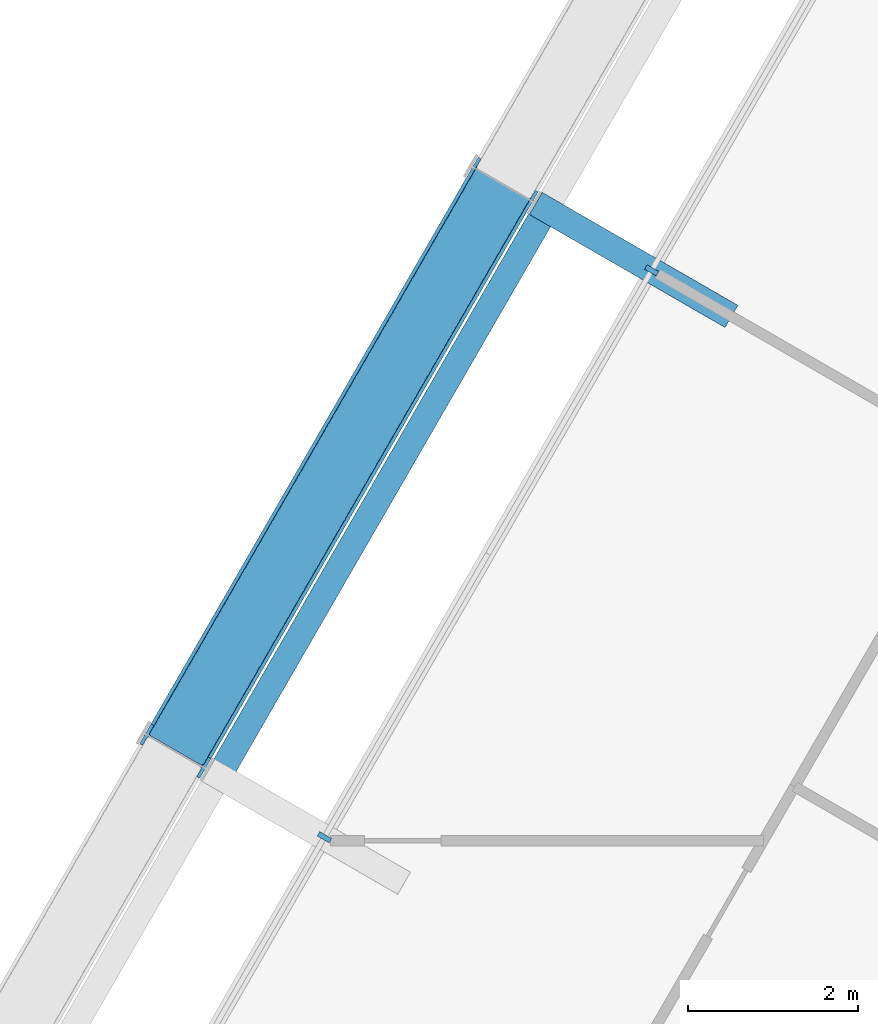
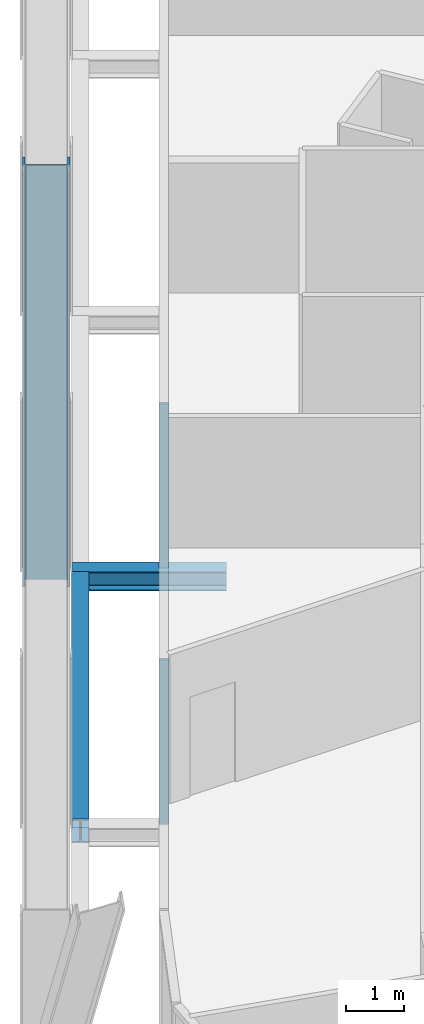
# One storey, part 5 of 21: 3 members, 2 beams, 1 element without a shape of its own.
"""IFC4 building model written with IfcOpenShell, lengths in metres."""

from ifc_helpers import new_model, si_unit, direction, frame, origin, origin_2d, place, context, subcontext, project, spatial, rectangle, i_section, extrude, material, layer, layer_set, material_profile, profile_set, type_object, element, aggregate, save


model = new_model("IFC4")

# Units and contexts
model_context = context("Model", 3, precision=1e-05, world=origin(), true_north=direction((0.0, 1.0)))
body_context = subcontext(model_context, "Body", "Model", "MODEL_VIEW")
ifc_project = project(units=[si_unit("LENGTHUNIT", "METRE"), si_unit("AREAUNIT", "SQUARE_METRE"), si_unit("VOLUMEUNIT", "CUBIC_METRE"), si_unit("PLANEANGLEUNIT", "RADIAN"), si_unit("MASSUNIT", "GRAM", prefix="KILO")], contexts=[model_context])

# Site, building, storey
site_placement = place(None, origin())
site = spatial("IfcSite", under=ifc_project, at=site_placement, CompositionType="ELEMENT")
building_placement = place(site_placement, origin())
building = spatial("IfcBuilding", under=site, at=building_placement, Name="Spindle Arch Residences", CompositionType="ELEMENT")
storey_placement = place(building_placement, frame((0.0, 0.0, 38.39990234375)))
storey = spatial("IfcBuildingStorey", under=building, at=storey_placement, Name="L07", CompositionType="ELEMENT", Elevation=38.39990234375)

# Curtain wall, members
ifc_material_1 = material(Name="Aluminium bronze unitised frame with tinted glass", Category="aluminium")
ifc_layer = layer(ifc_material_1, 0.159912109375)
ifc_layer_set = layer_set([ifc_layer], Name="CW-C typical residential unitised wall")
curtain_wall_type = type_object("IfcCurtainWallType", Name="CW-C typical residential unitised wall", PredefinedType="NOTDEFINED", material=ifc_layer_set)
curtain_wall_placement = place(storey_placement, origin())
curtain_wall = element("IfcCurtainWall", 1, at=curtain_wall_placement, inside=storey, type_object=curtain_wall_type, Name="CW-C L07 run 4", PredefinedType="NOTDEFINED")
ifc_material_2 = material(Name="Aluminium bronze anodised mullion", Category="aluminium")
ifc_material_profile_1 = material_profile(ifc_material_2, rectangle(XDim=0.159912109375, YDim=0.06005859375, at=origin_2d()), Name="MU 60x160")
ifc_profile_set_1 = profile_set([ifc_material_profile_1], Name="Aluminium bronze anodised mullion")
member_type_1 = type_object("IfcMemberType", Name="Bronze mullion 60x160", PredefinedType="MULLION", material=ifc_profile_set_1)
member_1_placement = place(storey_placement, frame((-18.9892578125, 6.529296875, -0.449951171875), z_axis=(0.0, 0.0, 1.0), x_axis=(0.866025403784, -0.5, 0.0)))
member_1 = element("IfcMember", 2, at=member_1_placement, type_object=member_type_1, Name="CW-C mullion 16", PredefinedType="MULLION", context=body_context, shape_type="SweptSolid", body=[
    extrude(rectangle(XDim=0.159912109375, YDim=0.06005859375, at=origin_2d()), origin(), (0.0, 0.0, 1.0), 3.449951171875),
])
member_2_placement = place(storey_placement, frame((-22.829345703125, -0.121826171875, -0.449951171875), z_axis=(0.0, 0.0, 1.0), x_axis=(0.866025403784, -0.5, 0.0)))
member_2 = element("IfcMember", 3, at=member_2_placement, type_object=member_type_1, Name="CW-C mullion 17", PredefinedType="MULLION", context=body_context, shape_type="SweptSolid", body=[
    extrude(rectangle(XDim=0.159912109375, YDim=0.06005859375, at=origin_2d()), origin(), (0.0, 0.0, 1.0), 3.449951171875),
])
aggregate(curtain_wall, [member_1, member_2])

# Member
ifc_material_3 = material(Name="Steel S460ML, intumescent coating R 240", Category="steel")
ifc_material_profile_2 = material_profile(ifc_material_3, i_section(OverallWidth=0.302978515625, OverallDepth=0.81396484375, WebThickness=0.02099609375, FlangeThickness=0.0400390625, FilletRadius=0.030029296875, at=origin_2d()), Name="HEM 800")
ifc_profile_set_2 = profile_set([ifc_material_profile_2], Name="Steel S460ML, intumescent coating R 240")
member_type_2 = type_object("IfcMemberType", Name="Diagrid diagonal HEM 800", PredefinedType="BRACE", material=ifc_profile_set_2)
member_3_placement = place(storey_placement, frame((-20.73876953125, 7.539306640625, -0.699951171875), z_axis=(-0.239546799467, -0.414927101849, 0.877754425233), x_axis=(0.438861446167, 0.760166733082, 0.479110810756)))
element("IfcMember", 4, at=member_3_placement, inside=storey, type_object=member_type_2, Name="Diagrid diagonal 1.1.17", PredefinedType="BRACE", context=body_context, shape_type="SweptSolid", body=[
    extrude(i_section(OverallWidth=0.302978515625, OverallDepth=0.81396484375, WebThickness=0.02099609375, FlangeThickness=0.0400390625, FilletRadius=0.030029296875, at=origin_2d()), origin(), (0.0, 0.0, 1.0), 16.029541015625),
])

# Beams
ifc_material_4 = material(Name="Steel S460ML, intumescent coating R 120", Category="steel")
ifc_material_profile_3 = material_profile(ifc_material_4, i_section(OverallWidth=0.300048828125, OverallDepth=0.5, WebThickness=0.014404296875, FlangeThickness=0.028076171875, FilletRadius=0.027099609375, at=origin_2d()), Name="HEB 500")
ifc_profile_set_3 = profile_set([ifc_material_profile_3], Name="Steel S460ML, intumescent coating R 120")
beam_type_1 = type_object("IfcBeamType", Name="Exoskeleton edge beam HEB 500", PredefinedType="BEAM", material=ifc_profile_set_3)
beam_1_placement = place(storey_placement, frame((-20.29541015625, 7.13330078125, -0.699951171875), z_axis=(-0.49998923004, -0.866031621735, 0.0), x_axis=(0.866031621735, -0.49998923004, 0.0)))
element("IfcBeam", 5, at=beam_1_placement, inside=storey, type_object=beam_type_1, Name="Exoskeleton edge beam 17", PredefinedType="BEAM", context=body_context, shape_type="SweptSolid", body=[
    extrude(i_section(OverallWidth=0.300048828125, OverallDepth=0.5, WebThickness=0.014404296875, FlangeThickness=0.028076171875, FilletRadius=0.027099609375, at=origin_2d()), origin(), (0.0, 0.0, 1.0), 7.420166015625),
])
ifc_material_5 = material(Name="Steel S460ML, intumescent coating R 120", Category="steel")
ifc_material_profile_4 = material_profile(ifc_material_5, i_section(OverallWidth=0.300048828125, OverallDepth=0.389892578125, WebThickness=0.010986328125, FlangeThickness=0.01904296875, FilletRadius=0.027099609375, at=origin_2d()), Name="HEA 400")
ifc_profile_set_4 = profile_set([ifc_material_profile_4], Name="Steel S460ML, intumescent coating R 120")
beam_type_2 = type_object("IfcBeamType", Name="Floor outrigger HEA 400", PredefinedType="BEAM", material=ifc_profile_set_4)
beam_2_placement = place(storey_placement, frame((-20.34912109375, 7.314453125, -0.64501953125), z_axis=(0.866052124492, -0.499953715521, 0.0), x_axis=(0.499953715521, 0.866052124492, 0.0)))
element("IfcBeam", 6, at=beam_2_placement, inside=storey, type_object=beam_type_2, Name="Floor outrigger 17", PredefinedType="BEAM", context=body_context, shape_type="SweptSolid", body=[
    extrude(i_section(OverallWidth=0.300048828125, OverallDepth=0.389892578125, WebThickness=0.010986328125, FlangeThickness=0.01904296875, FilletRadius=0.027099609375, at=origin_2d()), origin(), (0.0, 0.0, 1.0), 2.650146484375),
])

save(model, "model.ifc")
